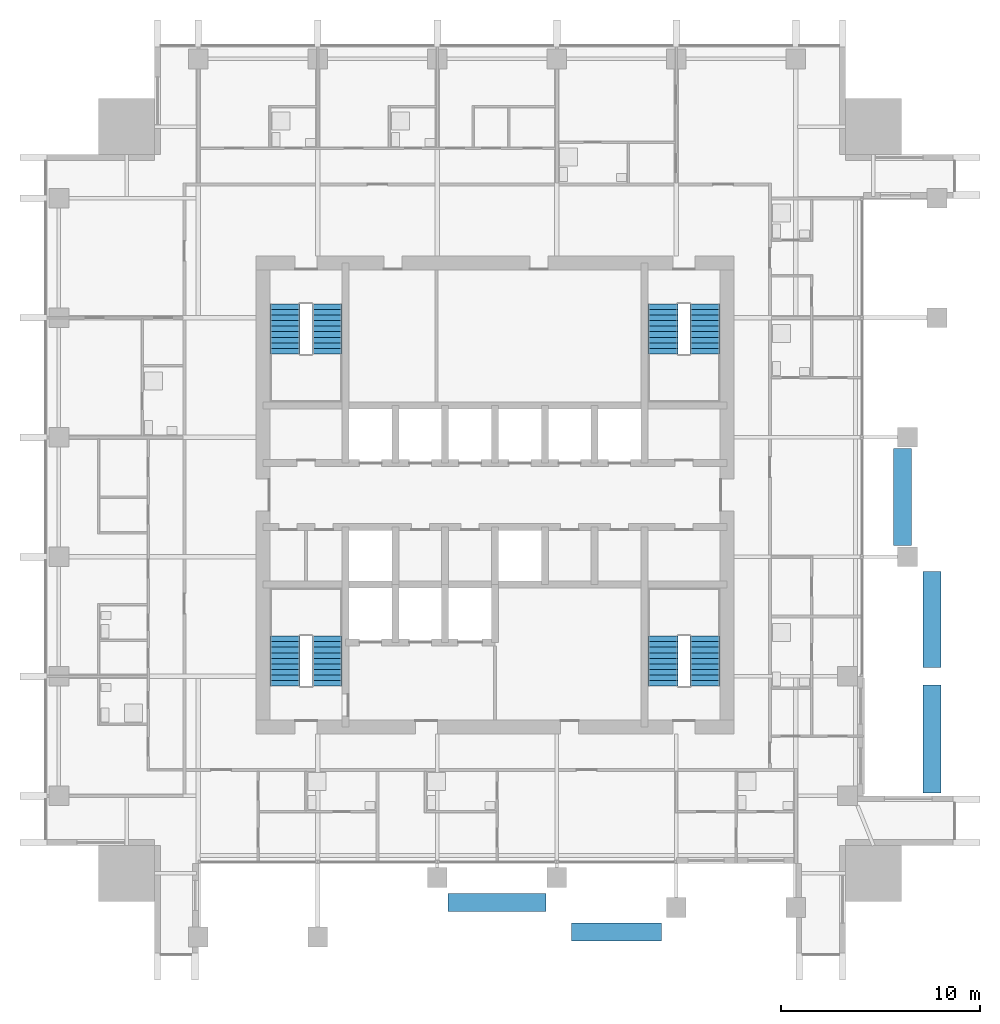
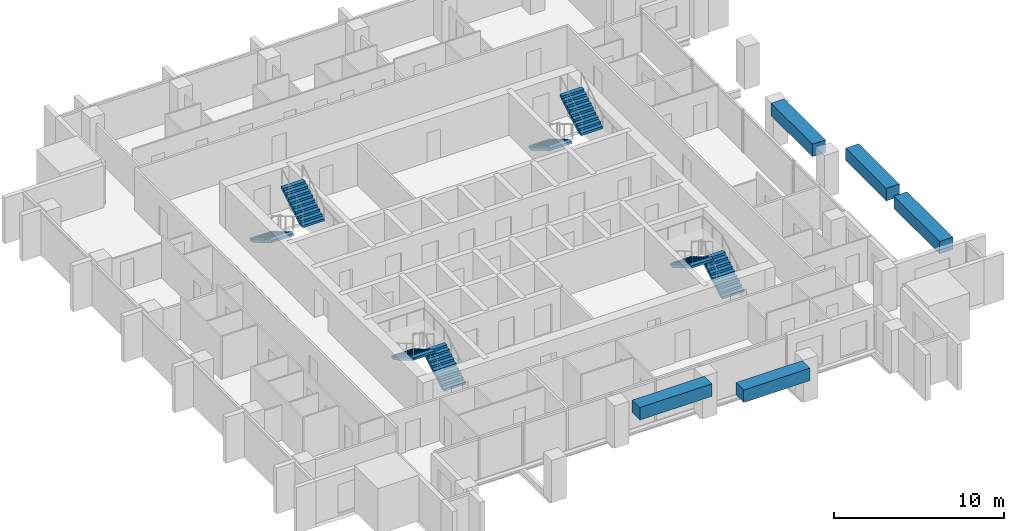
# One storey, part 12 of 14: 8 stair flights, 5 discrete accessories, 4 elements without a shape of their own.
"""IFC4 building model written with IfcOpenShell, lengths in metres."""

from ifc_helpers import new_model, si_unit, direction, frame, origin, origin_2d, place, context, subcontext, project, spatial, polyline, rectangle, outline, extrude, material, type_object, element, aggregate, save


model = new_model("IFC4")

# Units and contexts
model_context = context("Model", 3, precision=1e-05, world=origin(), true_north=direction((0.0, 1.0)))
body_context = subcontext(model_context, "Body", "Model", "MODEL_VIEW")
ifc_project = project(units=[si_unit("LENGTHUNIT", "METRE"), si_unit("AREAUNIT", "SQUARE_METRE"), si_unit("VOLUMEUNIT", "CUBIC_METRE"), si_unit("PLANEANGLEUNIT", "RADIAN"), si_unit("MASSUNIT", "GRAM", prefix="KILO")], contexts=[model_context])

# Site, building, storey
site_placement = place(None, origin())
site = spatial("IfcSite", under=ifc_project, at=site_placement, CompositionType="ELEMENT")
building_placement = place(site_placement, origin())
building = spatial("IfcBuilding", under=site, at=building_placement, Name="Amberfall Residences", CompositionType="ELEMENT")
storey_placement = place(building_placement, frame((0.0, 0.0, 168.10009765625)))
storey = spatial("IfcBuildingStorey", under=building, at=storey_placement, Name="L45", CompositionType="ELEMENT", Elevation=168.10009765625)

# Stair, stair flights
ifc_material = material(Name="Concrete C40", Category="concrete")
stair_type = type_object("IfcStairType", Name="Exit stair 20 risers 165.0 mm", PredefinedType="HALF_TURN_STAIR", material=ifc_material)
stair_1_placement = place(storey_placement, origin())
stair_1 = element("IfcStair", 1, at=stair_1_placement, inside=storey, type_object=stair_type, Name="L45 Exit stair 1", PredefinedType="HALF_TURN_STAIR")
stair_flight_type = type_object("IfcStairFlightType", Name="Stair flight 10 risers 165.0 mm", PredefinedType="STRAIGHT", material=ifc_material)
stair_flight_1_placement = place(storey_placement, frame((66.074951171875, 35.89990234375, 0.0), z_axis=(0.0, 0.0, 1.0), x_axis=(0.0, 1.0, 0.0)))
stair_flight_1 = element("IfcStairFlight", 2, at=stair_flight_1_placement, type_object=stair_flight_type, Name="ST3 flight 1", NumberOfRisers=10, NumberOfTreads=9, PredefinedType="STRAIGHT", RiserHeight=0.165, TreadLength=0.28, context=body_context, shape_type="SweptSolid", body=[
    extrude(outline(polyline([(0.0, 0.0), (0.0, 0.1650390625), (0.280029296875, 0.1650390625), (0.280029296875, 0.330078125), (0.56005859375, 0.330078125), (0.56005859375, 0.4951171875), (0.840087890625, 0.4951171875), (0.840087890625, 0.659912109375), (1.1201171875, 0.659912109375), (1.1201171875, 0.824951171875), (1.39990234375, 0.824951171875), (1.39990234375, 0.989990234375), (1.679931640625, 0.989990234375), (1.679931640625, 1.155029296875), (1.9599609375, 1.155029296875), (1.9599609375, 1.320068359375), (2.239990234375, 1.320068359375), (2.239990234375, 1.485107421875), (2.52001953125, 1.485107421875), (2.52001953125, 1.64990234375), (2.52001953125, 1.31103515625), (0.295166015625, 0.0), (0.0, 0.0)])), frame((0.0, 0.75, 0.0), z_axis=(0.0, -1.0, 0.0), x_axis=(1.0, 0.0, 0.0)), (0.0, 0.0, 1.0), 1.5),
])
stair_flight_2_placement = place(storey_placement, frame((63.949951171875, 38.419921875, 1.64990234375), z_axis=(0.0, 0.0, 1.0), x_axis=(0.0, -1.0, 0.0)))
stair_flight_2 = element("IfcStairFlight", 3, at=stair_flight_2_placement, type_object=stair_flight_type, Name="ST3 flight 2", NumberOfRisers=10, NumberOfTreads=9, PredefinedType="STRAIGHT", RiserHeight=0.165, TreadLength=0.28, context=body_context, shape_type="SweptSolid", body=[
    extrude(outline(polyline([(0.0, 0.0), (0.0, 0.1650390625), (0.280029296875, 0.1650390625), (0.280029296875, 0.330078125), (0.56005859375, 0.330078125), (0.56005859375, 0.4951171875), (0.840087890625, 0.4951171875), (0.840087890625, 0.659912109375), (1.1201171875, 0.659912109375), (1.1201171875, 0.824951171875), (1.39990234375, 0.824951171875), (1.39990234375, 0.989990234375), (1.679931640625, 0.989990234375), (1.679931640625, 1.155029296875), (1.9599609375, 1.155029296875), (1.9599609375, 1.320068359375), (2.239990234375, 1.320068359375), (2.239990234375, 1.485107421875), (2.52001953125, 1.485107421875), (2.52001953125, 1.64990234375), (2.52001953125, 1.31103515625), (0.295166015625, 0.0), (0.0, 0.0)])), frame((0.0, 0.75, 0.0), z_axis=(0.0, -1.0, 0.0), x_axis=(1.0, 0.0, 0.0)), (0.0, 0.0, 1.0), 1.5),
])
aggregate(stair_1, [stair_flight_1, stair_flight_2])

stair_2_placement = place(storey_placement, origin())
stair_2 = element("IfcStair", 4, at=stair_2_placement, inside=storey, type_object=stair_type, Name="L45 Exit stair 2", PredefinedType="HALF_TURN_STAIR")
stair_flight_3_placement = place(storey_placement, frame((85.050048828125, 35.89990234375, 0.0), z_axis=(0.0, 0.0, 1.0), x_axis=(0.0, 1.0, 0.0)))
stair_flight_3 = element("IfcStairFlight", 5, at=stair_flight_3_placement, type_object=stair_flight_type, Name="ST3 flight 1", NumberOfRisers=10, NumberOfTreads=9, PredefinedType="STRAIGHT", RiserHeight=0.165, TreadLength=0.28, context=body_context, shape_type="SweptSolid", body=[
    extrude(outline(polyline([(0.0, 0.0), (0.0, 0.1650390625), (0.280029296875, 0.1650390625), (0.280029296875, 0.330078125), (0.56005859375, 0.330078125), (0.56005859375, 0.4951171875), (0.840087890625, 0.4951171875), (0.840087890625, 0.659912109375), (1.1201171875, 0.659912109375), (1.1201171875, 0.824951171875), (1.39990234375, 0.824951171875), (1.39990234375, 0.989990234375), (1.679931640625, 0.989990234375), (1.679931640625, 1.155029296875), (1.9599609375, 1.155029296875), (1.9599609375, 1.320068359375), (2.239990234375, 1.320068359375), (2.239990234375, 1.485107421875), (2.52001953125, 1.485107421875), (2.52001953125, 1.64990234375), (2.52001953125, 1.31103515625), (0.295166015625, 0.0), (0.0, 0.0)])), frame((0.0, 0.75, 0.0), z_axis=(0.0, -1.0, 0.0), x_axis=(1.0, 0.0, 0.0)), (0.0, 0.0, 1.0), 1.5),
])
stair_flight_4_placement = place(storey_placement, frame((82.925048828125, 38.419921875, 1.64990234375), z_axis=(0.0, 0.0, 1.0), x_axis=(0.0, -1.0, 0.0)))
stair_flight_4 = element("IfcStairFlight", 6, at=stair_flight_4_placement, type_object=stair_flight_type, Name="ST3 flight 2", NumberOfRisers=10, NumberOfTreads=9, PredefinedType="STRAIGHT", RiserHeight=0.165, TreadLength=0.28, context=body_context, shape_type="SweptSolid", body=[
    extrude(outline(polyline([(0.0, 0.0), (0.0, 0.1650390625), (0.280029296875, 0.1650390625), (0.280029296875, 0.330078125), (0.56005859375, 0.330078125), (0.56005859375, 0.4951171875), (0.840087890625, 0.4951171875), (0.840087890625, 0.659912109375), (1.1201171875, 0.659912109375), (1.1201171875, 0.824951171875), (1.39990234375, 0.824951171875), (1.39990234375, 0.989990234375), (1.679931640625, 0.989990234375), (1.679931640625, 1.155029296875), (1.9599609375, 1.155029296875), (1.9599609375, 1.320068359375), (2.239990234375, 1.320068359375), (2.239990234375, 1.485107421875), (2.52001953125, 1.485107421875), (2.52001953125, 1.64990234375), (2.52001953125, 1.31103515625), (0.295166015625, 0.0), (0.0, 0.0)])), frame((0.0, 0.75, 0.0), z_axis=(0.0, -1.0, 0.0), x_axis=(1.0, 0.0, 0.0)), (0.0, 0.0, 1.0), 1.5),
])
aggregate(stair_2, [stair_flight_3, stair_flight_4])

stair_3_placement = place(storey_placement, origin())
stair_3 = element("IfcStair", 7, at=stair_3_placement, inside=storey, type_object=stair_type, Name="L45 Exit stair 3", PredefinedType="HALF_TURN_STAIR")
stair_flight_5_placement = place(storey_placement, frame((82.925048828125, 55.10009765625, 0.0), z_axis=(0.0, 0.0, 1.0), x_axis=(0.0, -1.0, 0.0)))
stair_flight_5 = element("IfcStairFlight", 8, at=stair_flight_5_placement, type_object=stair_flight_type, Name="ST3 flight 1", NumberOfRisers=10, NumberOfTreads=9, PredefinedType="STRAIGHT", RiserHeight=0.165, TreadLength=0.28, context=body_context, shape_type="SweptSolid", body=[
    extrude(outline(polyline([(0.0, 0.0), (0.0, 0.1650390625), (0.280029296875, 0.1650390625), (0.280029296875, 0.330078125), (0.56005859375, 0.330078125), (0.56005859375, 0.4951171875), (0.840087890625, 0.4951171875), (0.840087890625, 0.659912109375), (1.1201171875, 0.659912109375), (1.1201171875, 0.824951171875), (1.39990234375, 0.824951171875), (1.39990234375, 0.989990234375), (1.679931640625, 0.989990234375), (1.679931640625, 1.155029296875), (1.9599609375, 1.155029296875), (1.9599609375, 1.320068359375), (2.239990234375, 1.320068359375), (2.239990234375, 1.485107421875), (2.52001953125, 1.485107421875), (2.52001953125, 1.64990234375), (2.52001953125, 1.31103515625), (0.295166015625, 0.0), (0.0, 0.0)])), frame((0.0, 0.75, 0.0), z_axis=(0.0, -1.0, 0.0), x_axis=(1.0, 0.0, 0.0)), (0.0, 0.0, 1.0), 1.5),
])
stair_flight_6_placement = place(storey_placement, frame((85.050048828125, 52.580078125, 1.64990234375), z_axis=(0.0, 0.0, 1.0), x_axis=(0.0, 1.0, 0.0)))
stair_flight_6 = element("IfcStairFlight", 9, at=stair_flight_6_placement, type_object=stair_flight_type, Name="ST3 flight 2", NumberOfRisers=10, NumberOfTreads=9, PredefinedType="STRAIGHT", RiserHeight=0.165, TreadLength=0.28, context=body_context, shape_type="SweptSolid", body=[
    extrude(outline(polyline([(0.0, 0.0), (0.0, 0.1650390625), (0.280029296875, 0.1650390625), (0.280029296875, 0.330078125), (0.56005859375, 0.330078125), (0.56005859375, 0.4951171875), (0.840087890625, 0.4951171875), (0.840087890625, 0.659912109375), (1.1201171875, 0.659912109375), (1.1201171875, 0.824951171875), (1.39990234375, 0.824951171875), (1.39990234375, 0.989990234375), (1.679931640625, 0.989990234375), (1.679931640625, 1.155029296875), (1.9599609375, 1.155029296875), (1.9599609375, 1.320068359375), (2.239990234375, 1.320068359375), (2.239990234375, 1.485107421875), (2.52001953125, 1.485107421875), (2.52001953125, 1.64990234375), (2.52001953125, 1.31103515625), (0.295166015625, 0.0), (0.0, 0.0)])), frame((0.0, 0.75, 0.0), z_axis=(0.0, -1.0, 0.0), x_axis=(1.0, 0.0, 0.0)), (0.0, 0.0, 1.0), 1.5),
])
aggregate(stair_3, [stair_flight_5, stair_flight_6])

stair_4_placement = place(storey_placement, origin())
stair_4 = element("IfcStair", 10, at=stair_4_placement, inside=storey, type_object=stair_type, Name="L45 Exit stair 4", PredefinedType="HALF_TURN_STAIR")
stair_flight_7_placement = place(storey_placement, frame((63.949951171875, 55.10009765625, 0.0), z_axis=(0.0, 0.0, 1.0), x_axis=(0.0, -1.0, 0.0)))
stair_flight_7 = element("IfcStairFlight", 11, at=stair_flight_7_placement, type_object=stair_flight_type, Name="ST3 flight 1", NumberOfRisers=10, NumberOfTreads=9, PredefinedType="STRAIGHT", RiserHeight=0.165, TreadLength=0.28, context=body_context, shape_type="SweptSolid", body=[
    extrude(outline(polyline([(0.0, 0.0), (0.0, 0.1650390625), (0.280029296875, 0.1650390625), (0.280029296875, 0.330078125), (0.56005859375, 0.330078125), (0.56005859375, 0.4951171875), (0.840087890625, 0.4951171875), (0.840087890625, 0.659912109375), (1.1201171875, 0.659912109375), (1.1201171875, 0.824951171875), (1.39990234375, 0.824951171875), (1.39990234375, 0.989990234375), (1.679931640625, 0.989990234375), (1.679931640625, 1.155029296875), (1.9599609375, 1.155029296875), (1.9599609375, 1.320068359375), (2.239990234375, 1.320068359375), (2.239990234375, 1.485107421875), (2.52001953125, 1.485107421875), (2.52001953125, 1.64990234375), (2.52001953125, 1.31103515625), (0.295166015625, 0.0), (0.0, 0.0)])), frame((0.0, 0.75, 0.0), z_axis=(0.0, -1.0, 0.0), x_axis=(1.0, 0.0, 0.0)), (0.0, 0.0, 1.0), 1.5),
])
stair_flight_8_placement = place(storey_placement, frame((66.074951171875, 52.580078125, 1.64990234375), z_axis=(0.0, 0.0, 1.0), x_axis=(0.0, 1.0, 0.0)))
stair_flight_8 = element("IfcStairFlight", 12, at=stair_flight_8_placement, type_object=stair_flight_type, Name="ST3 flight 2", NumberOfRisers=10, NumberOfTreads=9, PredefinedType="STRAIGHT", RiserHeight=0.165, TreadLength=0.28, context=body_context, shape_type="SweptSolid", body=[
    extrude(outline(polyline([(0.0, 0.0), (0.0, 0.1650390625), (0.280029296875, 0.1650390625), (0.280029296875, 0.330078125), (0.56005859375, 0.330078125), (0.56005859375, 0.4951171875), (0.840087890625, 0.4951171875), (0.840087890625, 0.659912109375), (1.1201171875, 0.659912109375), (1.1201171875, 0.824951171875), (1.39990234375, 0.824951171875), (1.39990234375, 0.989990234375), (1.679931640625, 0.989990234375), (1.679931640625, 1.155029296875), (1.9599609375, 1.155029296875), (1.9599609375, 1.320068359375), (2.239990234375, 1.320068359375), (2.239990234375, 1.485107421875), (2.52001953125, 1.485107421875), (2.52001953125, 1.64990234375), (2.52001953125, 1.31103515625), (0.295166015625, 0.0), (0.0, 0.0)])), frame((0.0, 0.75, 0.0), z_axis=(0.0, -1.0, 0.0), x_axis=(1.0, 0.0, 0.0)), (0.0, 0.0, 1.0), 1.5),
])
aggregate(stair_4, [stair_flight_7, stair_flight_8])

# Discrete accessories
discrete_accessory_1_placement = place(storey_placement, frame((74.60009765625, 25.050048828125, 2.39990234375), z_axis=(0.0, 0.0, 1.0), x_axis=(1.0, 0.0, 0.0)))
element("IfcDiscreteAccessory", 13, at=discrete_accessory_1_placement, inside=storey, Name="Planter box L46 S3", ObjectType="PLANTER BOX", PredefinedType="USERDEFINED", context=body_context, shape_type="SweptSolid", body=[
    extrude(rectangle(XDim=4.919921875, YDim=0.89990234375, at=origin_2d()), origin(), (0.0, 0.0, 1.0), 0.89990234375),
])
discrete_accessory_2_placement = place(storey_placement, frame((94.949951171875, 45.39990234375, 2.39990234375), z_axis=(0.0, 0.0, 1.0), x_axis=(0.0, 1.0, 0.0)))
element("IfcDiscreteAccessory", 14, at=discrete_accessory_2_placement, inside=storey, Name="Planter box L46 E6", ObjectType="PLANTER BOX", PredefinedType="USERDEFINED", context=body_context, shape_type="SweptSolid", body=[
    extrude(rectangle(XDim=4.8798828125, YDim=0.89990234375, at=origin_2d()), origin(), (0.0, 0.0, 1.0), 0.89990234375),
])
discrete_accessory_3_placement = place(storey_placement, frame((80.60009765625, 23.550048828125, 2.39990234375), z_axis=(0.0, 0.0, 1.0), x_axis=(1.0, 0.0, 0.0)))
element("IfcDiscreteAccessory", 15, at=discrete_accessory_3_placement, inside=storey, Name="Planter box L46 S5", ObjectType="PLANTER BOX", PredefinedType="USERDEFINED", context=body_context, shape_type="SweptSolid", body=[
    extrude(rectangle(XDim=4.5, YDim=0.89990234375, at=origin_2d()), origin(), (0.0, 0.0, 1.0), 0.89990234375),
])
discrete_accessory_4_placement = place(storey_placement, frame((96.449951171875, 33.25, 2.39990234375), z_axis=(0.0, 0.0, 1.0), x_axis=(0.0, 1.0, 0.0)))
element("IfcDiscreteAccessory", 16, at=discrete_accessory_4_placement, inside=storey, Name="Planter box L46 E3", ObjectType="PLANTER BOX", PredefinedType="USERDEFINED", context=body_context, shape_type="SweptSolid", body=[
    extrude(rectangle(XDim=5.39990234375, YDim=0.89990234375, at=origin_2d()), origin(), (0.0, 0.0, 1.0), 0.89990234375),
])
discrete_accessory_5_placement = place(storey_placement, frame((96.449951171875, 39.25, 2.39990234375), z_axis=(0.0, 0.0, 1.0), x_axis=(0.0, 1.0, 0.0)))
element("IfcDiscreteAccessory", 17, at=discrete_accessory_5_placement, inside=storey, Name="Planter box L46 E4", ObjectType="PLANTER BOX", PredefinedType="USERDEFINED", context=body_context, shape_type="SweptSolid", body=[
    extrude(rectangle(XDim=4.800048828125, YDim=0.89990234375, at=origin_2d()), origin(), (0.0, 0.0, 1.0), 0.89990234375),
])

save(model, "model.ifc")
